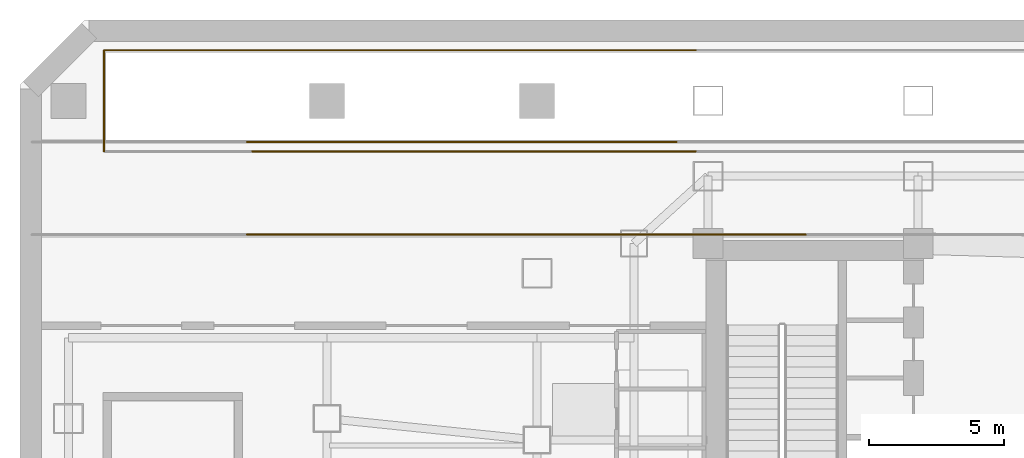
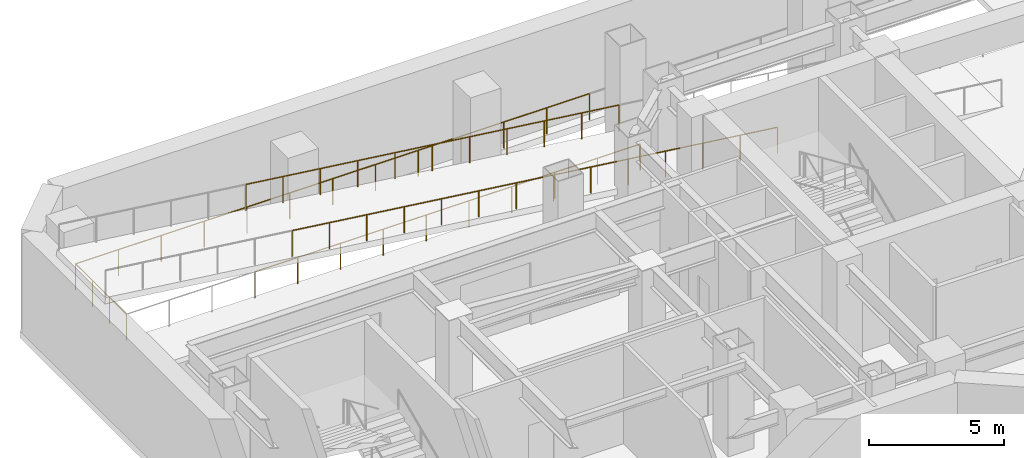
# One storey, part 8 of 9: 47 railings.
"""IFC4 building model written with IfcOpenShell, lengths in metres."""

from ifc_helpers import new_model, si_unit, direction, frame, origin, origin_2d, place, context, subcontext, project, spatial, circle, extrude, material, layer, layer_set, type_object, element, save


model = new_model("IFC4")

# Units and contexts
model_context = context("Model", 3, precision=1e-05, world=origin(), true_north=direction((0.0, 1.0)))
body_context = subcontext(model_context, "Body", "Model", "MODEL_VIEW")
ifc_project = project(units=[si_unit("LENGTHUNIT", "METRE"), si_unit("AREAUNIT", "SQUARE_METRE"), si_unit("VOLUMEUNIT", "CUBIC_METRE"), si_unit("PLANEANGLEUNIT", "RADIAN"), si_unit("MASSUNIT", "GRAM", prefix="KILO")], contexts=[model_context])

# Site, building, storey
site_placement = place(None, origin())
site = spatial("IfcSite", under=ifc_project, at=site_placement, CompositionType="ELEMENT")
building_placement = place(site_placement, origin())
building = spatial("IfcBuilding", under=site, at=building_placement, Name="Hatsunagi Terrace Concourse", CompositionType="ELEMENT")
storey_placement = place(building_placement, frame((0.0, 0.0, -4.800048828125)))
storey = spatial("IfcBuildingStorey", under=building, at=storey_placement, Name="B01", CompositionType="ELEMENT", Elevation=-4.800048828125)

# Railings
ifc_material = material(Name="Stainless Steel SUS316 Post-and-Rail Guard", Category="steel")
ifc_layer = layer(ifc_material, 0.080078125)
ifc_layer_set = layer_set([ifc_layer], Name="TerracePlantedGuardRail_1200")
railing_type = type_object("IfcRailingType", Name="TerracePlantedGuardRail_1200", PredefinedType="GUARDRAIL", material=ifc_layer_set)
railing_1_placement = place(storey_placement, frame((25.093017578125, 46.719970703125, 0.0)))
element("IfcRailing", 1, at=railing_1_placement, inside=storey, type_object=railing_type, Name="B01 Car Park Ramp Well Guardrail GRD-02 #10", PredefinedType="GUARDRAIL", context=body_context, shape_type="SweptSolid", body=[
    extrude(circle(Radius=0.02392578125, at=origin_2d()), frame((0.0, 0.0, 1.17578125), z_axis=(-1.0, 0.0, 0.0), x_axis=(0.0, -1.0, 0.0)), (0.0, 0.0, 1.0), 1.822998046875),
    extrude(circle(Radius=0.02099609375, at=origin_2d()), origin(), (0.0, 0.0, 1.0), 1.15185546875),
    extrude(circle(Radius=0.02099609375, at=origin_2d()), frame((-1.822998046875, 0.0, 0.0)), (0.0, 0.0, 1.0), 1.15185546875),
])
railing_2_placement = place(storey_placement, frame((23.261962890625, 46.719970703125, 0.0)))
element("IfcRailing", 2, at=railing_2_placement, inside=storey, type_object=railing_type, Name="B01 Car Park Ramp Well Guardrail GRD-02 #11", PredefinedType="GUARDRAIL", context=body_context, shape_type="SweptSolid", body=[
    extrude(circle(Radius=0.02392578125, at=origin_2d()), frame((0.0, 0.0, 1.17578125), z_axis=(-1.0, 0.0, 0.0), x_axis=(0.0, -1.0, 0.0)), (0.0, 0.0, 1.0), 1.823974609375),
    extrude(circle(Radius=0.02099609375, at=origin_2d()), origin(), (0.0, 0.0, 1.0), 1.15185546875),
    extrude(circle(Radius=0.02099609375, at=origin_2d()), frame((-1.823974609375, 0.0, 0.0)), (0.0, 0.0, 1.0), 1.15185546875),
])
railing_3_placement = place(storey_placement, frame((21.429931640625, 46.719970703125, 0.0)))
element("IfcRailing", 3, at=railing_3_placement, inside=storey, type_object=railing_type, Name="B01 Car Park Ramp Well Guardrail GRD-02 #12", PredefinedType="GUARDRAIL", context=body_context, shape_type="SweptSolid", body=[
    extrude(circle(Radius=0.02392578125, at=origin_2d()), frame((0.0, 0.0, 1.17578125), z_axis=(-1.0, 0.0, 0.0), x_axis=(0.0, -1.0, 0.0)), (0.0, 0.0, 1.0), 1.822998046875),
    extrude(circle(Radius=0.02099609375, at=origin_2d()), origin(), (0.0, 0.0, 1.0), 1.15185546875),
    extrude(circle(Radius=0.02099609375, at=origin_2d()), frame((-1.822998046875, 0.0, 0.0)), (0.0, 0.0, 1.0), 1.15185546875),
])
railing_4_placement = place(storey_placement, frame((19.59912109375, 46.719970703125, 0.0)))
element("IfcRailing", 4, at=railing_4_placement, inside=storey, type_object=railing_type, Name="B01 Car Park Ramp Well Guardrail GRD-02 #13", PredefinedType="GUARDRAIL", context=body_context, shape_type="SweptSolid", body=[
    extrude(circle(Radius=0.02392578125, at=origin_2d()), frame((0.0, 0.0, 1.17578125), z_axis=(-1.0, 0.0, 0.0), x_axis=(0.0, -1.0, 0.0)), (0.0, 0.0, 1.0), 1.82421875),
    extrude(circle(Radius=0.02099609375, at=origin_2d()), origin(), (0.0, 0.0, 1.0), 1.15185546875),
    extrude(circle(Radius=0.02099609375, at=origin_2d()), frame((-1.82421875, 0.0, 0.0)), (0.0, 0.0, 1.0), 1.15185546875),
])
for number, where, name in (
    (5, (17.76708984375, 46.719970703125, 0.0), "B01 Car Park Ramp Well Guardrail GRD-02 #14"),
    (6, (15.93603515625, 46.719970703125, 0.0), "B01 Car Park Ramp Well Guardrail GRD-02 #15"),
):
    element("IfcRailing", number, at=place(storey_placement, frame(where)), inside=storey, type_object=railing_type, Name=name, PredefinedType="GUARDRAIL", context=body_context, shape_type="SweptSolid", body=[
        extrude(circle(Radius=0.02392578125, at=origin_2d()), frame((0.0, 0.0, 1.17578125), z_axis=(-1.0, 0.0, 0.0), x_axis=(0.0, -1.0, 0.0)), (0.0, 0.0, 1.0), 1.822998046875),
        extrude(circle(Radius=0.02099609375, at=origin_2d()), origin(), (0.0, 0.0, 1.0), 1.15185546875),
        extrude(circle(Radius=0.02099609375, at=origin_2d()), frame((-1.822998046875, 0.0, 0.0)), (0.0, 0.0, 1.0), 1.15185546875),
    ])
railing_5_placement = place(storey_placement, frame((14.10498046875, 46.719970703125, 0.0)))
element("IfcRailing", 7, at=railing_5_placement, inside=storey, type_object=railing_type, Name="B01 Car Park Ramp Well Guardrail GRD-02 #16", PredefinedType="GUARDRAIL", context=body_context, shape_type="SweptSolid", body=[
    extrude(circle(Radius=0.02392578125, at=origin_2d()), frame((0.0, 0.0, 1.17578125), z_axis=(-1.0, 0.0, 0.0), x_axis=(0.0, -1.0, 0.0)), (0.0, 0.0, 1.0), 1.823974609375),
    extrude(circle(Radius=0.02099609375, at=origin_2d()), origin(), (0.0, 0.0, 1.0), 1.15185546875),
    extrude(circle(Radius=0.02099609375, at=origin_2d()), frame((-1.823974609375, 0.0, 0.0)), (0.0, 0.0, 1.0), 1.15185546875),
])
railing_6_placement = place(storey_placement, frame((12.27294921875, 46.719970703125, 0.0)))
element("IfcRailing", 8, at=railing_6_placement, inside=storey, type_object=railing_type, Name="B01 Car Park Ramp Well Guardrail GRD-02 #17", PredefinedType="GUARDRAIL", context=body_context, shape_type="SweptSolid", body=[
    extrude(circle(Radius=0.02392578125, at=origin_2d()), frame((0.0, 0.0, 1.17578125), z_axis=(-1.0, 0.0, 0.0), x_axis=(0.0, -1.0, 0.0)), (0.0, 0.0, 1.0), 1.822998046875),
    extrude(circle(Radius=0.02099609375, at=origin_2d()), origin(), (0.0, 0.0, 1.0), 1.15185546875),
    extrude(circle(Radius=0.02099609375, at=origin_2d()), frame((-1.822998046875, 0.0, 0.0)), (0.0, 0.0, 1.0), 1.15185546875),
])
railing_7_placement = place(storey_placement, frame((10.44189453125, 46.719970703125, 0.0)))
element("IfcRailing", 9, at=railing_7_placement, inside=storey, type_object=railing_type, Name="B01 Car Park Ramp Well Guardrail GRD-02 #18", PredefinedType="GUARDRAIL", context=body_context, shape_type="SweptSolid", body=[
    extrude(circle(Radius=0.02392578125, at=origin_2d()), frame((0.0, 0.0, 1.17578125), z_axis=(-1.0, 0.0, 0.0), x_axis=(0.0, -1.0, 0.0)), (0.0, 0.0, 1.0), 1.823974609375),
    extrude(circle(Radius=0.02099609375, at=origin_2d()), origin(), (0.0, 0.0, 1.0), 1.15185546875),
    extrude(circle(Radius=0.02099609375, at=origin_2d()), frame((-1.823974609375, 0.0, 0.0)), (0.0, 0.0, 1.0), 1.15185546875),
])
railing_8_placement = place(storey_placement, frame((3.1201171875, 46.719970703125, 0.0)))
element("IfcRailing", 10, at=railing_8_placement, inside=storey, type_object=railing_type, Name="B01 Car Park Ramp Well Guardrail GRD-02 #22", PredefinedType="GUARDRAIL", context=body_context, shape_type="SweptSolid", body=[
    extrude(circle(Radius=0.02392578125, at=origin_2d()), frame((0.0, 0.0, 1.17578125), z_axis=(0.0, 1.0, 0.0), x_axis=(-1.0, 0.0, 0.0)), (0.0, 0.0, 1.0), 1.2490234375),
    extrude(circle(Radius=0.02099609375, at=origin_2d()), origin(), (0.0, 0.0, 1.0), 1.15185546875),
    extrude(circle(Radius=0.02099609375, at=origin_2d()), frame((0.0, 1.2490234375, 0.0)), (0.0, 0.0, 1.0), 1.15185546875),
])
railing_9_placement = place(storey_placement, frame((3.1201171875, 47.97705078125, 0.0)))
element("IfcRailing", 11, at=railing_9_placement, inside=storey, type_object=railing_type, Name="B01 Car Park Ramp Well Guardrail GRD-02 #23", PredefinedType="GUARDRAIL", context=body_context, shape_type="SweptSolid", body=[
    extrude(circle(Radius=0.02392578125, at=origin_2d()), frame((0.0, 0.0, 1.17578125), z_axis=(0.0, 1.0, 0.0), x_axis=(-1.0, 0.0, 0.0)), (0.0, 0.0, 1.0), 1.245849609375),
    extrude(circle(Radius=0.02099609375, at=origin_2d()), origin(), (0.0, 0.0, 1.0), 1.15185546875),
    extrude(circle(Radius=0.02099609375, at=origin_2d()), frame((0.0, 1.245849609375, 0.0)), (0.0, 0.0, 1.0), 1.15185546875),
])
railing_10_placement = place(storey_placement, frame((3.1201171875, 49.23095703125, 0.0)))
element("IfcRailing", 12, at=railing_10_placement, inside=storey, type_object=railing_type, Name="B01 Car Park Ramp Well Guardrail GRD-02 #24", PredefinedType="GUARDRAIL", context=body_context, shape_type="SweptSolid", body=[
    extrude(circle(Radius=0.02392578125, at=origin_2d()), frame((0.0, 0.0, 1.17578125), z_axis=(0.0, 1.0, 0.0), x_axis=(-1.0, 0.0, 0.0)), (0.0, 0.0, 1.0), 1.2490234375),
    extrude(circle(Radius=0.02099609375, at=origin_2d()), origin(), (0.0, 0.0, 1.0), 1.15185546875),
    extrude(circle(Radius=0.02099609375, at=origin_2d()), frame((0.0, 1.2490234375, 0.0)), (0.0, 0.0, 1.0), 1.15185546875),
])
railing_11_placement = place(storey_placement, frame((3.1201171875, 50.47998046875, 0.0)))
element("IfcRailing", 13, at=railing_11_placement, inside=storey, type_object=railing_type, Name="B01 Car Park Ramp Well Guardrail GRD-02 #25", PredefinedType="GUARDRAIL", context=body_context, shape_type="SweptSolid", body=[
    extrude(circle(Radius=0.02392578125, at=origin_2d()), frame((0.0, 0.0, 1.17578125), z_axis=(1.0, 0.0, 0.0), x_axis=(0.0, 1.0, 0.0)), (0.0, 0.0, 1.0), 1.826904296875),
    extrude(circle(Radius=0.02099609375, at=origin_2d()), origin(), (0.0, 0.0, 1.0), 1.15185546875),
    extrude(circle(Radius=0.02099609375, at=origin_2d()), frame((1.826904296875, 0.0, 0.0)), (0.0, 0.0, 1.0), 1.15185546875),
])
railing_12_placement = place(storey_placement, frame((4.955078125, 50.47998046875, 0.0)))
element("IfcRailing", 14, at=railing_12_placement, inside=storey, type_object=railing_type, Name="B01 Car Park Ramp Well Guardrail GRD-02 #26", PredefinedType="GUARDRAIL", context=body_context, shape_type="SweptSolid", body=[
    extrude(circle(Radius=0.02392578125, at=origin_2d()), frame((0.0, 0.0, 1.17578125), z_axis=(1.0, 0.0, 0.0), x_axis=(0.0, 1.0, 0.0)), (0.0, 0.0, 1.0), 1.823974609375),
    extrude(circle(Radius=0.02099609375, at=origin_2d()), origin(), (0.0, 0.0, 1.0), 1.15185546875),
    extrude(circle(Radius=0.02099609375, at=origin_2d()), frame((1.823974609375, 0.0, 0.0)), (0.0, 0.0, 1.0), 1.15185546875),
])
railing_13_placement = place(storey_placement, frame((6.787109375, 50.47998046875, 0.0)))
element("IfcRailing", 15, at=railing_13_placement, inside=storey, type_object=railing_type, Name="B01 Car Park Ramp Well Guardrail GRD-02 #27", PredefinedType="GUARDRAIL", context=body_context, shape_type="SweptSolid", body=[
    extrude(circle(Radius=0.02392578125, at=origin_2d()), frame((0.0, 0.0, 1.17578125), z_axis=(1.0, 0.0, 0.0), x_axis=(0.0, 1.0, 0.0)), (0.0, 0.0, 1.0), 1.822998046875),
    extrude(circle(Radius=0.02099609375, at=origin_2d()), origin(), (0.0, 0.0, 1.0), 1.15185546875),
    extrude(circle(Radius=0.02099609375, at=origin_2d()), frame((1.822998046875, 0.0, 0.0)), (0.0, 0.0, 1.0), 1.15185546875),
])
railing_14_placement = place(storey_placement, frame((8.617919921875, 50.47998046875, 0.0)))
element("IfcRailing", 16, at=railing_14_placement, inside=storey, type_object=railing_type, Name="B01 Car Park Ramp Well Guardrail GRD-02 #28", PredefinedType="GUARDRAIL", context=body_context, shape_type="SweptSolid", body=[
    extrude(circle(Radius=0.02392578125, at=origin_2d()), frame((0.0, 0.0, 1.17578125), z_axis=(1.0, 0.0, 0.0), x_axis=(0.0, 1.0, 0.0)), (0.0, 0.0, 1.0), 1.823974609375),
    extrude(circle(Radius=0.02099609375, at=origin_2d()), origin(), (0.0, 0.0, 1.0), 1.15185546875),
    extrude(circle(Radius=0.02099609375, at=origin_2d()), frame((1.823974609375, 0.0, 0.0)), (0.0, 0.0, 1.0), 1.15185546875),
])
railing_15_placement = place(storey_placement, frame((10.449951171875, 50.47998046875, 0.0)))
element("IfcRailing", 17, at=railing_15_placement, inside=storey, type_object=railing_type, Name="B01 Car Park Ramp Well Guardrail GRD-02 #29", PredefinedType="GUARDRAIL", context=body_context, shape_type="SweptSolid", body=[
    extrude(circle(Radius=0.02392578125, at=origin_2d()), frame((0.0, 0.0, 1.17578125), z_axis=(1.0, 0.0, 0.0), x_axis=(0.0, 1.0, 0.0)), (0.0, 0.0, 1.0), 1.822998046875),
    extrude(circle(Radius=0.02099609375, at=origin_2d()), origin(), (0.0, 0.0, 1.0), 1.15185546875),
    extrude(circle(Radius=0.02099609375, at=origin_2d()), frame((1.822998046875, 0.0, 0.0)), (0.0, 0.0, 1.0), 1.15185546875),
])
railing_16_placement = place(storey_placement, frame((12.281005859375, 50.47998046875, 0.0)))
element("IfcRailing", 18, at=railing_16_placement, inside=storey, type_object=railing_type, Name="B01 Car Park Ramp Well Guardrail GRD-02 #30", PredefinedType="GUARDRAIL", context=body_context, shape_type="SweptSolid", body=[
    extrude(circle(Radius=0.02392578125, at=origin_2d()), frame((0.0, 0.0, 1.17578125), z_axis=(1.0, 0.0, 0.0), x_axis=(0.0, 1.0, 0.0)), (0.0, 0.0, 1.0), 1.823974609375),
    extrude(circle(Radius=0.02099609375, at=origin_2d()), origin(), (0.0, 0.0, 1.0), 1.15185546875),
    extrude(circle(Radius=0.02099609375, at=origin_2d()), frame((1.823974609375, 0.0, 0.0)), (0.0, 0.0, 1.0), 1.15185546875),
])
for number, where, name in (
    (19, (14.113037109375, 50.47998046875, 0.0), "B01 Car Park Ramp Well Guardrail GRD-02 #31"),
    (20, (15.944091796875, 50.47998046875, 0.0), "B01 Car Park Ramp Well Guardrail GRD-02 #32"),
):
    element("IfcRailing", number, at=place(storey_placement, frame(where)), inside=storey, type_object=railing_type, Name=name, PredefinedType="GUARDRAIL", context=body_context, shape_type="SweptSolid", body=[
        extrude(circle(Radius=0.02392578125, at=origin_2d()), frame((0.0, 0.0, 1.17578125), z_axis=(1.0, 0.0, 0.0), x_axis=(0.0, 1.0, 0.0)), (0.0, 0.0, 1.0), 1.822998046875),
        extrude(circle(Radius=0.02099609375, at=origin_2d()), origin(), (0.0, 0.0, 1.0), 1.15185546875),
        extrude(circle(Radius=0.02099609375, at=origin_2d()), frame((1.822998046875, 0.0, 0.0)), (0.0, 0.0, 1.0), 1.15185546875),
    ])
railing_17_placement = place(storey_placement, frame((17.77490234375, 50.47998046875, 0.0)))
element("IfcRailing", 21, at=railing_17_placement, inside=storey, type_object=railing_type, Name="B01 Car Park Ramp Well Guardrail GRD-02 #33", PredefinedType="GUARDRAIL", context=body_context, shape_type="SweptSolid", body=[
    extrude(circle(Radius=0.02392578125, at=origin_2d()), frame((0.0, 0.0, 1.17578125), z_axis=(1.0, 0.0, 0.0), x_axis=(0.0, 1.0, 0.0)), (0.0, 0.0, 1.0), 1.82421875),
    extrude(circle(Radius=0.02099609375, at=origin_2d()), origin(), (0.0, 0.0, 1.0), 1.15185546875),
    extrude(circle(Radius=0.02099609375, at=origin_2d()), frame((1.82421875, 0.0, 0.0)), (0.0, 0.0, 1.0), 1.15185546875),
])
railing_18_placement = place(storey_placement, frame((19.60693359375, 50.47998046875, 0.0)))
element("IfcRailing", 22, at=railing_18_placement, inside=storey, type_object=railing_type, Name="B01 Car Park Ramp Well Guardrail GRD-02 #34", PredefinedType="GUARDRAIL", context=body_context, shape_type="SweptSolid", body=[
    extrude(circle(Radius=0.02392578125, at=origin_2d()), frame((0.0, 0.0, 1.17578125), z_axis=(1.0, 0.0, 0.0), x_axis=(0.0, 1.0, 0.0)), (0.0, 0.0, 1.0), 1.822998046875),
    extrude(circle(Radius=0.02099609375, at=origin_2d()), origin(), (0.0, 0.0, 1.0), 1.15185546875),
    extrude(circle(Radius=0.02099609375, at=origin_2d()), frame((1.822998046875, 0.0, 0.0)), (0.0, 0.0, 1.0), 1.15185546875),
])
railing_19_placement = place(storey_placement, frame((21.43798828125, 50.47998046875, 0.0)))
element("IfcRailing", 23, at=railing_19_placement, inside=storey, type_object=railing_type, Name="B01 Car Park Ramp Well Guardrail GRD-02 #35", PredefinedType="GUARDRAIL", context=body_context, shape_type="SweptSolid", body=[
    extrude(circle(Radius=0.02392578125, at=origin_2d()), frame((0.0, 0.0, 1.17578125), z_axis=(1.0, 0.0, 0.0), x_axis=(0.0, 1.0, 0.0)), (0.0, 0.0, 1.0), 1.823974609375),
    extrude(circle(Radius=0.02099609375, at=origin_2d()), origin(), (0.0, 0.0, 1.0), 1.15185546875),
    extrude(circle(Radius=0.02099609375, at=origin_2d()), frame((1.823974609375, 0.0, 0.0)), (0.0, 0.0, 1.0), 1.15185546875),
])
railing_20_placement = place(storey_placement, frame((23.27001953125, 50.47998046875, 0.0)))
element("IfcRailing", 24, at=railing_20_placement, inside=storey, type_object=railing_type, Name="B01 Car Park Ramp Well Guardrail GRD-02 #36", PredefinedType="GUARDRAIL", context=body_context, shape_type="SweptSolid", body=[
    extrude(circle(Radius=0.02392578125, at=origin_2d()), frame((0.0, 0.0, 1.17578125), z_axis=(1.0, 0.0, 0.0), x_axis=(0.0, 1.0, 0.0)), (0.0, 0.0, 1.0), 1.822998046875),
    extrude(circle(Radius=0.02099609375, at=origin_2d()), origin(), (0.0, 0.0, 1.0), 1.15185546875),
    extrude(circle(Radius=0.02099609375, at=origin_2d()), frame((1.822998046875, 0.0, 0.0)), (0.0, 0.0, 1.0), 1.15185546875),
])
railing_21_placement = place(storey_placement, frame((29.176025390625, 43.6298828125, 1.203125)))
element("IfcRailing", 25, at=railing_21_placement, inside=storey, type_object=railing_type, Name="B01 Vehicle Ramp R2 Sloped Side Guardrail GRD-02 S #7", PredefinedType="GUARDRAIL", context=body_context, shape_type="SweptSolid", body=[
    extrude(circle(Radius=0.02392578125, at=origin_2d()), frame((0.0, 0.0, 1.17578125), z_axis=(-0.99225205719, 0.0, 0.124241116394), x_axis=(0.0, -1.0, 0.0)), (0.0, 0.0, 1.0), 1.6015625),
    extrude(circle(Radius=0.02099609375, at=origin_2d()), origin(), (0.0, 0.0, 1.0), 1.15185546875),
    extrude(circle(Radius=0.02099609375, at=origin_2d()), frame((-1.589111328125, 0.0, 0.198974609375)), (0.0, 0.0, 1.0), 1.15185546875),
])
railing_22_placement = place(storey_placement, frame((27.5791015625, 43.6298828125, 1.403076171875)))
element("IfcRailing", 26, at=railing_22_placement, inside=storey, type_object=railing_type, Name="B01 Vehicle Ramp R2 Sloped Side Guardrail GRD-02 S #8", PredefinedType="GUARDRAIL", context=body_context, shape_type="SweptSolid", body=[
    extrude(circle(Radius=0.02392578125, at=origin_2d()), frame((0.0, 0.0, 1.17578125), z_axis=(-0.992317722268, 0.0, 0.123715553076), x_axis=(0.0, -1.0, 0.0)), (0.0, 0.0, 1.0), 1.600341796875),
    extrude(circle(Radius=0.02099609375, at=origin_2d()), origin(), (0.0, 0.0, 1.0), 1.15185546875),
    extrude(circle(Radius=0.02099609375, at=origin_2d()), frame((-1.588134765625, 0.0, 0.197998046875)), (0.0, 0.0, 1.0), 1.15185546875),
])
railing_23_placement = place(storey_placement, frame((25.98291015625, 43.6298828125, 1.60205078125)))
element("IfcRailing", 27, at=railing_23_placement, inside=storey, type_object=railing_type, Name="B01 Vehicle Ramp R2 Sloped Side Guardrail GRD-02 S #9", PredefinedType="GUARDRAIL", context=body_context, shape_type="SweptSolid", body=[
    extrude(circle(Radius=0.02392578125, at=origin_2d()), frame((0.0, 0.0, 1.17578125), z_axis=(-0.992249703566, 0.0, 0.124259912171), x_axis=(0.0, -1.0, 0.0)), (0.0, 0.0, 1.0), 1.601318359375),
    extrude(circle(Radius=0.02099609375, at=origin_2d()), origin(), (0.0, 0.0, 1.0), 1.15185546875),
    extrude(circle(Radius=0.02099609375, at=origin_2d()), frame((-1.5888671875, 0.0, 0.198974609375)), (0.0, 0.0, 1.0), 1.15185546875),
])
railing_24_placement = place(storey_placement, frame((24.385986328125, 43.6298828125, 1.802001953125)))
element("IfcRailing", 28, at=railing_24_placement, inside=storey, type_object=railing_type, Name="B01 Vehicle Ramp R2 Sloped Side Guardrail GRD-02 S #10", PredefinedType="GUARDRAIL", context=body_context, shape_type="SweptSolid", body=[
    extrude(circle(Radius=0.02392578125, at=origin_2d()), frame((0.0, 0.0, 1.17578125), z_axis=(-0.992324721938, 0.0, 0.12365939605), x_axis=(0.0, -1.0, 0.0)), (0.0, 0.0, 1.0), 1.60107421875),
    extrude(circle(Radius=0.02099609375, at=origin_2d()), origin(), (0.0, 0.0, 1.0), 1.15185546875),
    extrude(circle(Radius=0.02099609375, at=origin_2d()), frame((-1.5888671875, 0.0, 0.197998046875)), (0.0, 0.0, 1.0), 1.15185546875),
])
railing_25_placement = place(storey_placement, frame((22.7890625, 43.6298828125, 2.0009765625)))
element("IfcRailing", 29, at=railing_25_placement, inside=storey, type_object=railing_type, Name="B01 Vehicle Ramp R2 Sloped Side Guardrail GRD-02 S #11", PredefinedType="GUARDRAIL", context=body_context, shape_type="SweptSolid", body=[
    extrude(circle(Radius=0.02392578125, at=origin_2d()), frame((0.0, 0.0, 1.17578125), z_axis=(-0.992242636283, 0.0, 0.12431633337), x_axis=(0.0, -1.0, 0.0)), (0.0, 0.0, 1.0), 1.6005859375),
    extrude(circle(Radius=0.02099609375, at=origin_2d()), origin(), (0.0, 0.0, 1.0), 1.15185546875),
    extrude(circle(Radius=0.02099609375, at=origin_2d()), frame((-1.588134765625, 0.0, 0.198974609375)), (0.0, 0.0, 1.0), 1.15185546875),
])
railing_26_placement = place(storey_placement, frame((21.193115234375, 43.6298828125, 2.200927734375)))
element("IfcRailing", 30, at=railing_26_placement, inside=storey, type_object=railing_type, Name="B01 Vehicle Ramp R2 Sloped Side Guardrail GRD-02 S #12", PredefinedType="GUARDRAIL", context=body_context, shape_type="SweptSolid", body=[
    extrude(circle(Radius=0.02392578125, at=origin_2d()), frame((0.0, 0.0, 1.17578125), z_axis=(-0.99230833708, 0.0, 0.123790808067), x_axis=(0.0, -1.0, 0.0)), (0.0, 0.0, 1.0), 1.601318359375),
    extrude(circle(Radius=0.02099609375, at=origin_2d()), origin(), (0.0, 0.0, 1.0), 1.15185546875),
    extrude(circle(Radius=0.02099609375, at=origin_2d()), frame((-1.589111328125, 0.0, 0.1982421875)), (0.0, 0.0, 1.0), 1.15185546875),
])
railing_27_placement = place(storey_placement, frame((19.595947265625, 43.6298828125, 2.401123046875)))
element("IfcRailing", 31, at=railing_27_placement, inside=storey, type_object=railing_type, Name="B01 Vehicle Ramp R2 Sloped Side Guardrail GRD-02 S #13", PredefinedType="GUARDRAIL", context=body_context, shape_type="SweptSolid", body=[
    extrude(circle(Radius=0.02392578125, at=origin_2d()), frame((0.0, 0.0, 1.17578125), z_axis=(-0.992324721938, 0.0, 0.12365939605), x_axis=(0.0, -1.0, 0.0)), (0.0, 0.0, 1.0), 1.60107421875),
    extrude(circle(Radius=0.02099609375, at=origin_2d()), origin(), (0.0, 0.0, 1.0), 1.15185546875),
    extrude(circle(Radius=0.02099609375, at=origin_2d()), frame((-1.5888671875, 0.0, 0.197998046875)), (0.0, 0.0, 1.0), 1.15185546875),
])
railing_28_placement = place(storey_placement, frame((17.9990234375, 43.6298828125, 2.60009765625)))
element("IfcRailing", 32, at=railing_28_placement, inside=storey, type_object=railing_type, Name="B01 Vehicle Ramp R2 Sloped Side Guardrail GRD-02 S #14", PredefinedType="GUARDRAIL", context=body_context, shape_type="SweptSolid", body=[
    extrude(circle(Radius=0.02392578125, at=origin_2d()), frame((0.0, 0.0, 1.17578125), z_axis=(-0.992242636283, 0.0, 0.12431633337), x_axis=(0.0, -1.0, 0.0)), (0.0, 0.0, 1.0), 1.6005859375),
    extrude(circle(Radius=0.02099609375, at=origin_2d()), origin(), (0.0, 0.0, 1.0), 1.15185546875),
    extrude(circle(Radius=0.02099609375, at=origin_2d()), frame((-1.588134765625, 0.0, 0.198974609375)), (0.0, 0.0, 1.0), 1.15185546875),
])
railing_29_placement = place(storey_placement, frame((16.403076171875, 43.6298828125, 2.800048828125)))
element("IfcRailing", 33, at=railing_29_placement, inside=storey, type_object=railing_type, Name="B01 Vehicle Ramp R2 Sloped Side Guardrail GRD-02 S #15", PredefinedType="GUARDRAIL", context=body_context, shape_type="SweptSolid", body=[
    extrude(circle(Radius=0.02392578125, at=origin_2d()), frame((0.0, 0.0, 1.17578125), z_axis=(-0.992327053043, 0.0, 0.123640688281), x_axis=(0.0, -1.0, 0.0)), (0.0, 0.0, 1.0), 1.601318359375),
    extrude(circle(Radius=0.02099609375, at=origin_2d()), origin(), (0.0, 0.0, 1.0), 1.15185546875),
    extrude(circle(Radius=0.02099609375, at=origin_2d()), frame((-1.589111328125, 0.0, 0.197998046875)), (0.0, 0.0, 1.0), 1.15185546875),
])
railing_30_placement = place(storey_placement, frame((14.805908203125, 43.6298828125, 2.9990234375)))
element("IfcRailing", 34, at=railing_30_placement, inside=storey, type_object=railing_type, Name="B01 Vehicle Ramp R2 Sloped Side Guardrail GRD-02 S #16", PredefinedType="GUARDRAIL", context=body_context, shape_type="SweptSolid", body=[
    extrude(circle(Radius=0.02392578125, at=origin_2d()), frame((0.0, 0.0, 1.17578125), z_axis=(-0.992249703566, 0.0, 0.124259912171), x_axis=(0.0, -1.0, 0.0)), (0.0, 0.0, 1.0), 1.601318359375),
    extrude(circle(Radius=0.02099609375, at=origin_2d()), origin(), (0.0, 0.0, 1.0), 1.15185546875),
    extrude(circle(Radius=0.02099609375, at=origin_2d()), frame((-1.5888671875, 0.0, 0.198974609375)), (0.0, 0.0, 1.0), 1.15185546875),
])
railing_31_placement = place(storey_placement, frame((13.208984375, 43.6298828125, 3.198974609375)))
element("IfcRailing", 35, at=railing_31_placement, inside=storey, type_object=railing_type, Name="B01 Vehicle Ramp R2 Sloped Side Guardrail GRD-02 S #17", PredefinedType="GUARDRAIL", context=body_context, shape_type="SweptSolid", body=[
    extrude(circle(Radius=0.02392578125, at=origin_2d()), frame((0.0, 0.0, 1.17578125), z_axis=(-0.992315386925, 0.0, 0.123734283333), x_axis=(0.0, -1.0, 0.0)), (0.0, 0.0, 1.0), 1.60009765625),
    extrude(circle(Radius=0.02099609375, at=origin_2d()), origin(), (0.0, 0.0, 1.0), 1.15185546875),
    extrude(circle(Radius=0.02099609375, at=origin_2d()), frame((-1.587890625, 0.0, 0.197998046875)), (0.0, 0.0, 1.0), 1.15185546875),
])
railing_32_placement = place(storey_placement, frame((11.613037109375, 43.6298828125, 3.39794921875)))
element("IfcRailing", 36, at=railing_32_placement, inside=storey, type_object=railing_type, Name="B01 Vehicle Ramp R2 Sloped Side Guardrail GRD-02 S #18", PredefinedType="GUARDRAIL", context=body_context, shape_type="SweptSolid", body=[
    extrude(circle(Radius=0.02392578125, at=origin_2d()), frame((0.0, 0.0, 1.17578125), z_axis=(-0.992233253239, 0.0, 0.124391202127), x_axis=(0.0, -1.0, 0.0)), (0.0, 0.0, 1.0), 1.6015625),
    extrude(circle(Radius=0.02099609375, at=origin_2d()), origin(), (0.0, 0.0, 1.0), 1.15185546875),
    extrude(circle(Radius=0.02099609375, at=origin_2d()), frame((-1.589111328125, 0.0, 0.19921875)), (0.0, 0.0, 1.0), 1.15185546875),
])
railing_33_placement = place(storey_placement, frame((10.01611328125, 43.6298828125, 3.59814453125)))
element("IfcRailing", 37, at=railing_33_placement, inside=storey, type_object=railing_type, Name="B01 Vehicle Ramp R2 Sloped Side Guardrail GRD-02 S #19", PredefinedType="GUARDRAIL", context=body_context, shape_type="SweptSolid", body=[
    extrude(circle(Radius=0.02392578125, at=origin_2d()), frame((0.0, 0.0, 1.17578125), z_axis=(-0.99225205719, 0.0, 0.124241116394), x_axis=(0.0, -1.0, 0.0)), (0.0, 0.0, 1.0), 1.6015625),
    extrude(circle(Radius=0.02099609375, at=origin_2d()), origin(), (0.0, 0.0, 1.0), 1.15185546875),
    extrude(circle(Radius=0.02099609375, at=origin_2d()), frame((-1.589111328125, 0.0, 0.198974609375)), (0.0, 0.0, 1.0), 1.15185546875),
])
railing_34_placement = place(storey_placement, frame((24.385986328125, 47.070068359375, 1.802001953125)))
element("IfcRailing", 38, at=railing_34_placement, inside=storey, type_object=railing_type, Name="B01 Vehicle Ramp R2 Sloped Side Guardrail GRD-02 N #10", PredefinedType="GUARDRAIL", context=body_context, shape_type="SweptSolid", body=[
    extrude(circle(Radius=0.02392578125, at=origin_2d()), frame((0.0, 0.0, 1.17578125), z_axis=(-0.992324721938, 0.0, 0.12365939605), x_axis=(0.0, -1.0, 0.0)), (0.0, 0.0, 1.0), 1.60107421875),
    extrude(circle(Radius=0.02099609375, at=origin_2d()), origin(), (0.0, 0.0, 1.0), 1.15185546875),
    extrude(circle(Radius=0.02099609375, at=origin_2d()), frame((-1.5888671875, 0.0, 0.197998046875)), (0.0, 0.0, 1.0), 1.15185546875),
])
railing_35_placement = place(storey_placement, frame((22.7890625, 47.070068359375, 2.0009765625)))
element("IfcRailing", 39, at=railing_35_placement, inside=storey, type_object=railing_type, Name="B01 Vehicle Ramp R2 Sloped Side Guardrail GRD-02 N #11", PredefinedType="GUARDRAIL", context=body_context, shape_type="SweptSolid", body=[
    extrude(circle(Radius=0.02392578125, at=origin_2d()), frame((0.0, 0.0, 1.17578125), z_axis=(-0.992242636283, 0.0, 0.12431633337), x_axis=(0.0, -1.0, 0.0)), (0.0, 0.0, 1.0), 1.6005859375),
    extrude(circle(Radius=0.02099609375, at=origin_2d()), origin(), (0.0, 0.0, 1.0), 1.15185546875),
    extrude(circle(Radius=0.02099609375, at=origin_2d()), frame((-1.588134765625, 0.0, 0.198974609375)), (0.0, 0.0, 1.0), 1.15185546875),
])
railing_36_placement = place(storey_placement, frame((21.193115234375, 47.070068359375, 2.200927734375)))
element("IfcRailing", 40, at=railing_36_placement, inside=storey, type_object=railing_type, Name="B01 Vehicle Ramp R2 Sloped Side Guardrail GRD-02 N #12", PredefinedType="GUARDRAIL", context=body_context, shape_type="SweptSolid", body=[
    extrude(circle(Radius=0.02392578125, at=origin_2d()), frame((0.0, 0.0, 1.17578125), z_axis=(-0.99230833708, 0.0, 0.123790808067), x_axis=(0.0, -1.0, 0.0)), (0.0, 0.0, 1.0), 1.601318359375),
    extrude(circle(Radius=0.02099609375, at=origin_2d()), origin(), (0.0, 0.0, 1.0), 1.15185546875),
    extrude(circle(Radius=0.02099609375, at=origin_2d()), frame((-1.589111328125, 0.0, 0.1982421875)), (0.0, 0.0, 1.0), 1.15185546875),
])
railing_37_placement = place(storey_placement, frame((19.595947265625, 47.070068359375, 2.401123046875)))
element("IfcRailing", 41, at=railing_37_placement, inside=storey, type_object=railing_type, Name="B01 Vehicle Ramp R2 Sloped Side Guardrail GRD-02 N #13", PredefinedType="GUARDRAIL", context=body_context, shape_type="SweptSolid", body=[
    extrude(circle(Radius=0.02392578125, at=origin_2d()), frame((0.0, 0.0, 1.17578125), z_axis=(-0.992324721938, 0.0, 0.12365939605), x_axis=(0.0, -1.0, 0.0)), (0.0, 0.0, 1.0), 1.60107421875),
    extrude(circle(Radius=0.02099609375, at=origin_2d()), origin(), (0.0, 0.0, 1.0), 1.15185546875),
    extrude(circle(Radius=0.02099609375, at=origin_2d()), frame((-1.5888671875, 0.0, 0.197998046875)), (0.0, 0.0, 1.0), 1.15185546875),
])
railing_38_placement = place(storey_placement, frame((17.9990234375, 47.070068359375, 2.60009765625)))
element("IfcRailing", 42, at=railing_38_placement, inside=storey, type_object=railing_type, Name="B01 Vehicle Ramp R2 Sloped Side Guardrail GRD-02 N #14", PredefinedType="GUARDRAIL", context=body_context, shape_type="SweptSolid", body=[
    extrude(circle(Radius=0.02392578125, at=origin_2d()), frame((0.0, 0.0, 1.17578125), z_axis=(-0.992242636283, 0.0, 0.12431633337), x_axis=(0.0, -1.0, 0.0)), (0.0, 0.0, 1.0), 1.6005859375),
    extrude(circle(Radius=0.02099609375, at=origin_2d()), origin(), (0.0, 0.0, 1.0), 1.15185546875),
    extrude(circle(Radius=0.02099609375, at=origin_2d()), frame((-1.588134765625, 0.0, 0.198974609375)), (0.0, 0.0, 1.0), 1.15185546875),
])
railing_39_placement = place(storey_placement, frame((16.403076171875, 47.070068359375, 2.800048828125)))
element("IfcRailing", 43, at=railing_39_placement, inside=storey, type_object=railing_type, Name="B01 Vehicle Ramp R2 Sloped Side Guardrail GRD-02 N #15", PredefinedType="GUARDRAIL", context=body_context, shape_type="SweptSolid", body=[
    extrude(circle(Radius=0.02392578125, at=origin_2d()), frame((0.0, 0.0, 1.17578125), z_axis=(-0.992327053043, 0.0, 0.123640688281), x_axis=(0.0, -1.0, 0.0)), (0.0, 0.0, 1.0), 1.601318359375),
    extrude(circle(Radius=0.02099609375, at=origin_2d()), origin(), (0.0, 0.0, 1.0), 1.15185546875),
    extrude(circle(Radius=0.02099609375, at=origin_2d()), frame((-1.589111328125, 0.0, 0.197998046875)), (0.0, 0.0, 1.0), 1.15185546875),
])
railing_40_placement = place(storey_placement, frame((14.805908203125, 47.070068359375, 2.9990234375)))
element("IfcRailing", 44, at=railing_40_placement, inside=storey, type_object=railing_type, Name="B01 Vehicle Ramp R2 Sloped Side Guardrail GRD-02 N #16", PredefinedType="GUARDRAIL", context=body_context, shape_type="SweptSolid", body=[
    extrude(circle(Radius=0.02392578125, at=origin_2d()), frame((0.0, 0.0, 1.17578125), z_axis=(-0.992249703566, 0.0, 0.124259912171), x_axis=(0.0, -1.0, 0.0)), (0.0, 0.0, 1.0), 1.601318359375),
    extrude(circle(Radius=0.02099609375, at=origin_2d()), origin(), (0.0, 0.0, 1.0), 1.15185546875),
    extrude(circle(Radius=0.02099609375, at=origin_2d()), frame((-1.5888671875, 0.0, 0.198974609375)), (0.0, 0.0, 1.0), 1.15185546875),
])
railing_41_placement = place(storey_placement, frame((13.208984375, 47.070068359375, 3.198974609375)))
element("IfcRailing", 45, at=railing_41_placement, inside=storey, type_object=railing_type, Name="B01 Vehicle Ramp R2 Sloped Side Guardrail GRD-02 N #17", PredefinedType="GUARDRAIL", context=body_context, shape_type="SweptSolid", body=[
    extrude(circle(Radius=0.02392578125, at=origin_2d()), frame((0.0, 0.0, 1.17578125), z_axis=(-0.992315386925, 0.0, 0.123734283333), x_axis=(0.0, -1.0, 0.0)), (0.0, 0.0, 1.0), 1.60009765625),
    extrude(circle(Radius=0.02099609375, at=origin_2d()), origin(), (0.0, 0.0, 1.0), 1.15185546875),
    extrude(circle(Radius=0.02099609375, at=origin_2d()), frame((-1.587890625, 0.0, 0.197998046875)), (0.0, 0.0, 1.0), 1.15185546875),
])
railing_42_placement = place(storey_placement, frame((11.613037109375, 47.070068359375, 3.39794921875)))
element("IfcRailing", 46, at=railing_42_placement, inside=storey, type_object=railing_type, Name="B01 Vehicle Ramp R2 Sloped Side Guardrail GRD-02 N #18", PredefinedType="GUARDRAIL", context=body_context, shape_type="SweptSolid", body=[
    extrude(circle(Radius=0.02392578125, at=origin_2d()), frame((0.0, 0.0, 1.17578125), z_axis=(-0.992233253239, 0.0, 0.124391202127), x_axis=(0.0, -1.0, 0.0)), (0.0, 0.0, 1.0), 1.6015625),
    extrude(circle(Radius=0.02099609375, at=origin_2d()), origin(), (0.0, 0.0, 1.0), 1.15185546875),
    extrude(circle(Radius=0.02099609375, at=origin_2d()), frame((-1.589111328125, 0.0, 0.19921875)), (0.0, 0.0, 1.0), 1.15185546875),
])
railing_43_placement = place(storey_placement, frame((10.01611328125, 47.070068359375, 3.59814453125)))
element("IfcRailing", 47, at=railing_43_placement, inside=storey, type_object=railing_type, Name="B01 Vehicle Ramp R2 Sloped Side Guardrail GRD-02 N #19", PredefinedType="GUARDRAIL", context=body_context, shape_type="SweptSolid", body=[
    extrude(circle(Radius=0.02392578125, at=origin_2d()), frame((0.0, 0.0, 1.17578125), z_axis=(-0.99225205719, 0.0, 0.124241116394), x_axis=(0.0, -1.0, 0.0)), (0.0, 0.0, 1.0), 1.6015625),
    extrude(circle(Radius=0.02099609375, at=origin_2d()), origin(), (0.0, 0.0, 1.0), 1.15185546875),
    extrude(circle(Radius=0.02099609375, at=origin_2d()), frame((-1.589111328125, 0.0, 0.198974609375)), (0.0, 0.0, 1.0), 1.15185546875),
])

save(model, "model.ifc")
